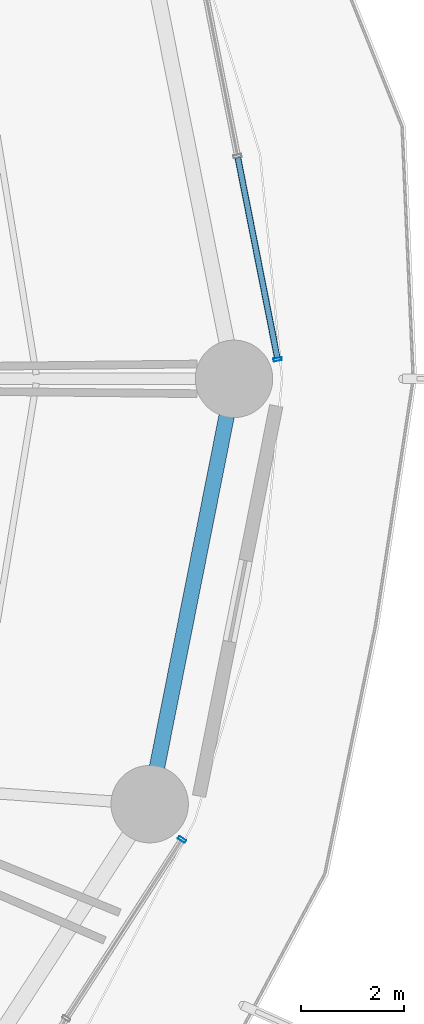
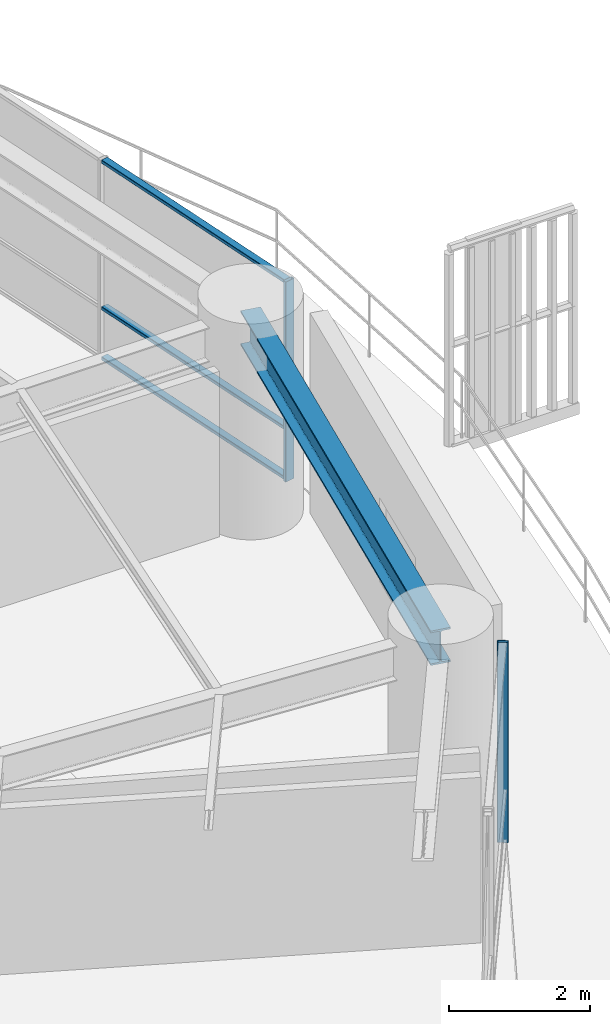
# One storey, part 13 of 35: 5 members, 1 beam, 2 elements without a shape of their own.
"""IFC4 building model written with IfcOpenShell, lengths in metres."""

from ifc_helpers import new_model, si_unit, direction, frame, origin, origin_2d, place, context, subcontext, project, spatial, hollow_rectangle, i_section, extrude, material, layer, layer_set, material_profile, profile_set, type_object, element, aggregate, save


model = new_model("IFC4")

# Units and contexts
model_context = context("Model", 3, precision=1e-05, world=origin(), true_north=direction((0.0, 1.0)))
body_context = subcontext(model_context, "Body", "Model", "MODEL_VIEW")
ifc_project = project(units=[si_unit("LENGTHUNIT", "METRE"), si_unit("AREAUNIT", "SQUARE_METRE"), si_unit("VOLUMEUNIT", "CUBIC_METRE"), si_unit("PLANEANGLEUNIT", "RADIAN"), si_unit("MASSUNIT", "GRAM", prefix="KILO")], contexts=[model_context])

# Site, building, storey
site_placement = place(None, origin())
site = spatial("IfcSite", under=ifc_project, at=site_placement, CompositionType="ELEMENT")
building_placement = place(site_placement, origin())
building = spatial("IfcBuilding", under=site, at=building_placement, Name="Kelanora Arch Commons", CompositionType="ELEMENT")
storey_placement = place(building_placement, frame((0.0, 0.0, 22.5)))
storey = spatial("IfcBuildingStorey", under=building, at=storey_placement, Name="L05", CompositionType="ELEMENT", Elevation=22.5)

# Beam
ifc_material_1 = material(Name="Steel S355", Category="steel")
ifc_material_profile_1 = material_profile(ifc_material_1, i_section(OverallWidth=0.300048828125, OverallDepth=0.60009765625, WebThickness=0.015380859375, FlangeThickness=0.030029296875, FilletRadius=0.027099609375, at=origin_2d()), Name="HEB600")
ifc_profile_set_1 = profile_set([ifc_material_profile_1], Name="Steel S355")
beam_type = type_object("IfcBeamType", Name="BM-SPN-Z1", PredefinedType="SPANDREL", material=ifc_profile_set_1)
beam_placement = place(storey_placement, frame((99.447021484375, 49.76416015625, 3.18994140625), z_axis=(0.194499827256, 0.980902552345, 0.0), x_axis=(-0.980902552345, 0.194499827256, 0.0)))
element("IfcBeam", 1, at=beam_placement, inside=storey, type_object=beam_type, Name="Perimeter Spandrel Beam BS-34 L05", PredefinedType="SPANDREL", context=body_context, shape_type="SweptSolid", body=[
    extrude(i_section(OverallWidth=0.300048828125, OverallDepth=0.60009765625, WebThickness=0.015380859375, FlangeThickness=0.030029296875, FilletRadius=0.027099609375, at=origin_2d()), origin(), (0.0, 0.0, 1.0), 8.396240234375),
])

# Curtain wall, member
ifc_material_2 = material(Name="Terracotta ceramic-fritted low-E glass and aluminium", Category="masonry")
ifc_layer = layer(ifc_material_2, 0.159912109375)
ifc_layer_set = layer_set([ifc_layer], Name="Terracotta ceramic-fritted low-E glass and aluminium")
curtain_wall_type = type_object("IfcCurtainWallType", Name="CW-SYS-01", PredefinedType="NOTDEFINED", material=ifc_layer_set)
curtain_wall_1_placement = place(storey_placement, origin())
curtain_wall_1 = element("IfcCurtainWall", 2, at=curtain_wall_1_placement, inside=storey, type_object=curtain_wall_type, Name="Unitised Curtain Wall L05-B00", PredefinedType="NOTDEFINED")
ifc_material_3 = material(Name="Powder-coated aluminium terracotta", Category="masonry")
ifc_material_profile_2 = material_profile(ifc_material_3, hollow_rectangle(XDim=0.159912109375, YDim=0.06005859375, WallThickness=0.0048828125, InnerFilletRadius=0.0048828125, OuterFilletRadius=0.010009765625, at=origin_2d()), Name="CWM160x60")
ifc_profile_set_2 = profile_set([ifc_material_profile_2], Name="Powder-coated aluminium terracotta")
member_type_1 = type_object("IfcMemberType", Name="CWM-STD", PredefinedType="MULLION", material=ifc_profile_set_2)
member_1_placement = place(storey_placement, frame((101.925048828125, 58.379150390625, 0.0), z_axis=(0.0, 0.0, 1.0), x_axis=(-0.981052110579, -0.193744048498, 0.0)))
member_1 = element("IfcMember", 3, at=member_1_placement, type_object=member_type_1, Name="CW-01 mullion 1", PredefinedType="MULLION", context=body_context, shape_type="SweptSolid", body=[
    extrude(hollow_rectangle(XDim=0.159912109375, YDim=0.06005859375, WallThickness=0.0048828125, InnerFilletRadius=0.0048828125, OuterFilletRadius=0.010009765625, at=origin_2d()), origin(), (0.0, 0.0, 1.0), 3.47509765625),
])

curtain_wall_2_placement = place(storey_placement, origin())
curtain_wall_2 = element("IfcCurtainWall", 4, at=curtain_wall_2_placement, inside=storey, type_object=curtain_wall_type, Name="Unitised Curtain Wall L05-B16", PredefinedType="NOTDEFINED")
member_2_placement = place(storey_placement, frame((100.072265625, 49.07958984375, 0.0), z_axis=(0.0, 0.0, 1.0), x_axis=(-0.83972982332, 0.543004441812, 0.0)))
member_2 = element("IfcMember", 5, at=member_2_placement, type_object=member_type_1, Name="CW-01 mullion 3", PredefinedType="MULLION", context=body_context, shape_type="SweptSolid", body=[
    extrude(hollow_rectangle(XDim=0.159912109375, YDim=0.06005859375, WallThickness=0.0048828125, InnerFilletRadius=0.0048828125, OuterFilletRadius=0.010009765625, at=origin_2d()), origin(), (0.0, 0.0, 1.0), 3.47509765625),
])
aggregate(curtain_wall_2, [member_2])

# Member
ifc_material_profile_3 = material_profile(ifc_material_3, hollow_rectangle(XDim=0.1201171875, YDim=0.06005859375, WallThickness=0.0048828125, InnerFilletRadius=0.0048828125, OuterFilletRadius=0.010009765625, at=origin_2d()), Name="CWT120x60")
ifc_profile_set_3 = profile_set([ifc_material_profile_3], Name="Powder-coated aluminium terracotta")
member_type_2 = type_object("IfcMemberType", Name="CWT-STD", PredefinedType="USERDEFINED", material=ifc_profile_set_3)
member_3_placement = place(storey_placement, frame((101.919189453125, 58.408447265625, 0.030029296875), z_axis=(-0.193725436624, 0.98105578598, 0.0), x_axis=(-0.98105578598, -0.193725436624, 0.0)))
member_3 = element("IfcMember", 6, at=member_3_placement, type_object=member_type_2, Name="CW-01 transom 1.1", ObjectType="TRANSOM", PredefinedType="USERDEFINED", context=body_context, shape_type="SweptSolid", body=[
    extrude(hollow_rectangle(XDim=0.1201171875, YDim=0.06005859375, WallThickness=0.0048828125, InnerFilletRadius=0.0048828125, OuterFilletRadius=0.010009765625, at=origin_2d()), origin(), (0.0, 0.0, 1.0), 3.9482421875),
])

member_4_placement = place(storey_placement, frame((101.919189453125, 58.408447265625, 0.89990234375), z_axis=(-0.193725436624, 0.98105578598, 0.0), x_axis=(-0.98105578598, -0.193725436624, 0.0)))
member_4 = element("IfcMember", 7, at=member_4_placement, type_object=member_type_2, Name="CW-01 transom 1.2", ObjectType="TRANSOM", PredefinedType="USERDEFINED", context=body_context, shape_type="SweptSolid", body=[
    extrude(hollow_rectangle(XDim=0.1201171875, YDim=0.06005859375, WallThickness=0.0048828125, InnerFilletRadius=0.0048828125, OuterFilletRadius=0.010009765625, at=origin_2d()), origin(), (0.0, 0.0, 1.0), 3.9482421875),
])

member_5_placement = place(storey_placement, frame((101.919189453125, 58.408447265625, 3.445068359375), z_axis=(-0.193725436624, 0.98105578598, 0.0), x_axis=(-0.98105578598, -0.193725436624, 0.0)))
member_5 = element("IfcMember", 8, at=member_5_placement, type_object=member_type_2, Name="CW-01 transom 1.3", ObjectType="TRANSOM", PredefinedType="USERDEFINED", context=body_context, shape_type="SweptSolid", body=[
    extrude(hollow_rectangle(XDim=0.1201171875, YDim=0.06005859375, WallThickness=0.0048828125, InnerFilletRadius=0.0048828125, OuterFilletRadius=0.010009765625, at=origin_2d()), origin(), (0.0, 0.0, 1.0), 3.9482421875),
])

aggregate(curtain_wall_1, [member_1, member_3, member_4, member_5])

save(model, "model.ifc")
